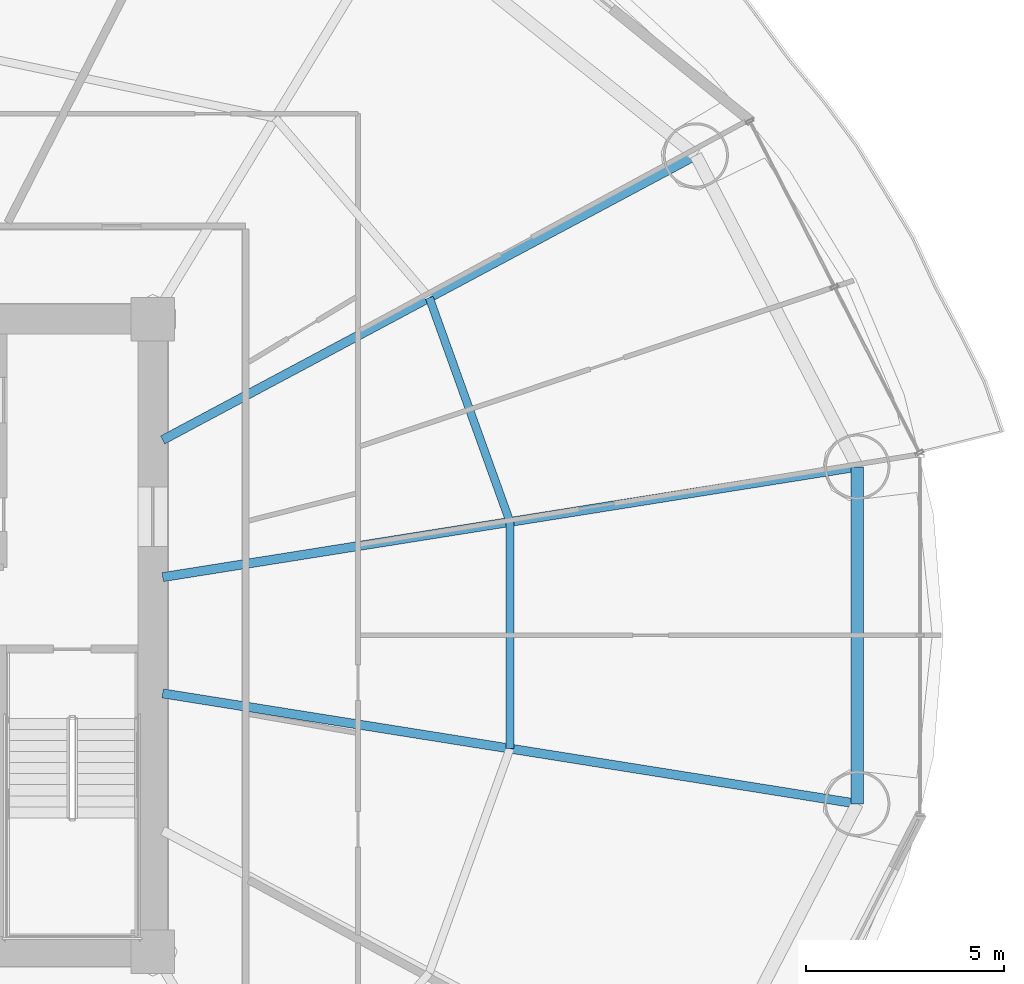
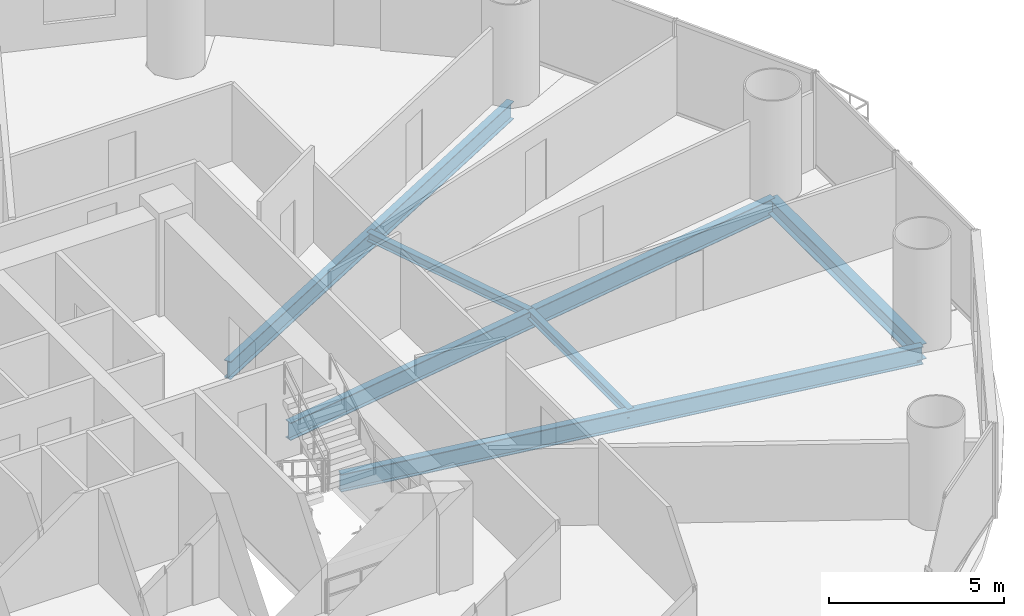
# One storey, part 13 of 29: 6 beams.
"""IFC4 building model written with IfcOpenShell, lengths in metres."""

from ifc_helpers import new_model, si_unit, direction, frame, origin, origin_2d, place, context, subcontext, project, spatial, i_section, extrude, material, material_profile, profile_set, type_object, element, save


model = new_model("IFC4")

# Units and contexts
model_context = context("Model", 3, precision=1e-05, world=origin(), true_north=direction((-0.2419218956, 0.970295726276)))
body_context = subcontext(model_context, "Body", "Model", "MODEL_VIEW")
ifc_project = project(units=[si_unit("LENGTHUNIT", "METRE"), si_unit("AREAUNIT", "SQUARE_METRE"), si_unit("VOLUMEUNIT", "CUBIC_METRE"), si_unit("PLANEANGLEUNIT", "RADIAN"), si_unit("MASSUNIT", "GRAM", prefix="KILO")], contexts=[model_context])

# Site, building, storey
site_placement = place(None, origin())
site = spatial("IfcSite", under=ifc_project, at=site_placement, CompositionType="ELEMENT")
building_placement = place(site_placement, origin())
building = spatial("IfcBuilding", under=site, at=building_placement, Name="Cobrevalo Terracotta Tower", CompositionType="ELEMENT")
storey_placement = place(building_placement, frame((0.0, 0.0, 49.199951171875)))
storey = spatial("IfcBuildingStorey", under=building, at=storey_placement, Name="L12", CompositionType="ELEMENT", Elevation=49.199951171875)

# Beams
ifc_material = material(Name="Steel S355", Category="steel")
ifc_material_profile_1 = material_profile(ifc_material, i_section(OverallWidth=0.22998046875, OverallDepth=0.616943359375, WebThickness=0.01318359375, FlangeThickness=0.022216796875, at=origin_2d()), Name="W 610x140")
ifc_profile_set_1 = profile_set([ifc_material_profile_1], Name="Steel S355")
beam_type_1 = type_object("IfcBeamType", Name="Structural Beam W 610x140 (Steel S355)", PredefinedType="BEAM", material=ifc_profile_set_1)
beam_1_placement = place(storey_placement, frame((64.824462890625, 31.062744140625, -0.58837890625), z_axis=(-0.987607924622, -0.156941349628, 0.0), x_axis=(0.156941349628, -0.987607924622, 0.0)))
element("IfcBeam", 1, at=beam_1_placement, inside=storey, type_object=beam_type_1, Name="L12 radial floor girder 01", PredefinedType="BEAM", context=body_context, shape_type="SweptSolid", body=[
    extrude(i_section(OverallWidth=0.22998046875, OverallDepth=0.616943359375, WebThickness=0.01318359375, FlangeThickness=0.022216796875, at=origin_2d()), origin(), (0.0, 0.0, 1.0), 17.7900390625),
])
beam_2_placement = place(storey_placement, frame((60.74072265625, 38.939208984375, -0.58837890625), z_axis=(-0.88218223571, -0.470908168329, 0.0), x_axis=(0.470908168329, -0.88218223571, 0.0)))
element("IfcBeam", 2, at=beam_2_placement, inside=storey, type_object=beam_type_1, Name="L12 radial floor girder 02", PredefinedType="BEAM", context=body_context, shape_type="SweptSolid", body=[
    extrude(i_section(OverallWidth=0.22998046875, OverallDepth=0.616943359375, WebThickness=0.01318359375, FlangeThickness=0.022216796875, at=origin_2d()), origin(), (0.0, 0.0, 1.0), 15.286865234375),
])
beam_3_placement = place(storey_placement, frame((64.824462890625, 22.537353515625, -0.58837890625), z_axis=(-0.987607924622, 0.156941349628, 0.0), x_axis=(-0.156941349628, -0.987607924622, 0.0)))
element("IfcBeam", 3, at=beam_3_placement, inside=storey, type_object=beam_type_1, Name="L12 radial floor girder 16", PredefinedType="BEAM", context=body_context, shape_type="SweptSolid", body=[
    extrude(i_section(OverallWidth=0.22998046875, OverallDepth=0.616943359375, WebThickness=0.01318359375, FlangeThickness=0.022216796875, at=origin_2d()), origin(), (0.0, 0.0, 1.0), 17.7900390625),
])
ifc_material_profile_2 = material_profile(ifc_material, i_section(OverallWidth=0.2041015625, OverallDepth=0.305908203125, WebThickness=0.008544921875, FlangeThickness=0.0146484375, at=origin_2d()), Name="W 310x67")
ifc_profile_set_2 = profile_set([ifc_material_profile_2], Name="Steel S355")
beam_type_2 = type_object("IfcBeamType", Name="Structural Joist W 310x67 (Steel S355)", PredefinedType="JOIST", material=ifc_profile_set_2)
beam_4_placement = place(storey_placement, frame((56.039794921875, 29.666748046875, -0.432861328125), z_axis=(-0.338672151116, 0.940904444701, 0.0), x_axis=(-0.940904444701, -0.338672151116, 0.0)))
element("IfcBeam", 4, at=beam_4_placement, inside=storey, type_object=beam_type_2, Name="L12 circumferential secondary floor joist 01", PredefinedType="JOIST", context=body_context, shape_type="SweptSolid", body=[
    extrude(i_section(OverallWidth=0.2041015625, OverallDepth=0.305908203125, WebThickness=0.008544921875, FlangeThickness=0.0146484375, at=origin_2d()), origin(), (0.0, 0.0, 1.0), 6.029296875),
])
beam_5_placement = place(storey_placement, frame((56.039794921875, 23.933349609375, -0.432861328125), z_axis=(0.0, 1.0, 0.0), x_axis=(-1.0, 0.0, 0.0)))
element("IfcBeam", 5, at=beam_5_placement, inside=storey, type_object=beam_type_2, Name="L12 circumferential secondary floor joist 16", PredefinedType="JOIST", context=body_context, shape_type="SweptSolid", body=[
    extrude(i_section(OverallWidth=0.2041015625, OverallDepth=0.305908203125, WebThickness=0.008544921875, FlangeThickness=0.0146484375, at=origin_2d()), origin(), (0.0, 0.0, 1.0), 5.7333984375),
])
ifc_material_profile_3 = material_profile(ifc_material, i_section(OverallWidth=0.31201171875, OverallDepth=0.54296875, WebThickness=0.0126953125, FlangeThickness=0.020263671875, at=origin_2d()), Name="W 530x150")
ifc_profile_set_3 = profile_set([ifc_material_profile_3], Name="Steel S355")
beam_type_3 = type_object("IfcBeamType", Name="Structural Spandrel W 530x150 (Steel S355)", PredefinedType="SPANDREL", material=ifc_profile_set_3)
beam_6_placement = place(storey_placement, frame((64.824462890625, 22.537353515625, -0.551513671875), z_axis=(0.0, 1.0, 0.0), x_axis=(-1.0, 0.0, 0.0)))
element("IfcBeam", 6, at=beam_6_placement, inside=storey, type_object=beam_type_3, Name="L12 perimeter ring spandrel 16", PredefinedType="SPANDREL", context=body_context, shape_type="SweptSolid", body=[
    extrude(i_section(OverallWidth=0.31201171875, OverallDepth=0.54296875, WebThickness=0.0126953125, FlangeThickness=0.020263671875, at=origin_2d()), origin(), (0.0, 0.0, 1.0), 8.525390625),
])

save(model, "model.ifc")
